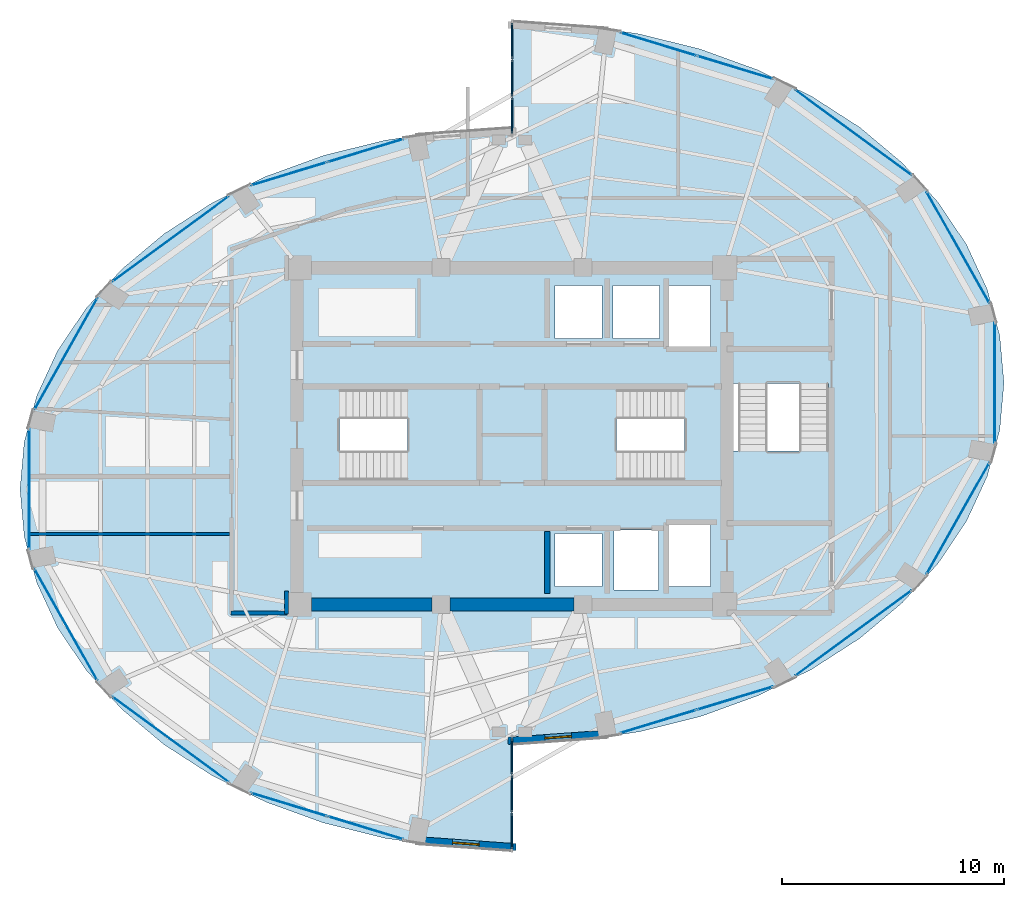
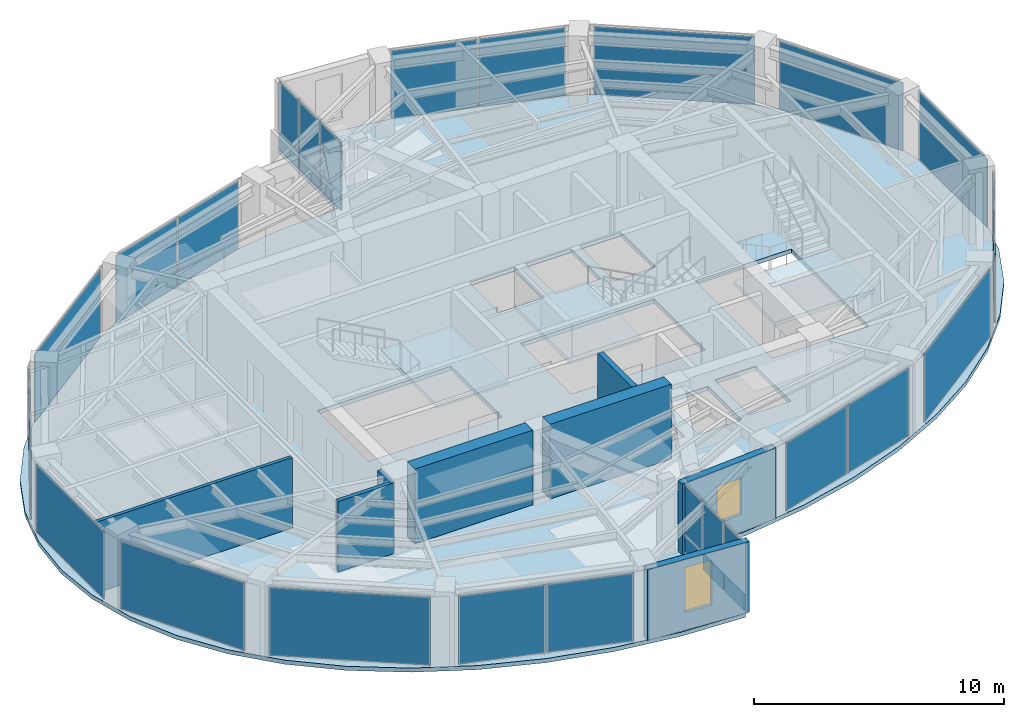
# One storey, part 18 of 23: 30 plates, 8 walls, 4 slabs, 2 windows, 2 openings, 19 elements without a shape of their own.
"""IFC4 building model written with IfcOpenShell, lengths in metres."""

from ifc_helpers import new_model, si_unit, direction, frame, frame_2d, origin, origin_2d, place, context, subcontext, project, spatial, polyline, rectangle, outline, extrude, material, layer, layer_set, type_object, element, fill, aggregate, save


model = new_model("IFC4")

# Units and contexts
model_context = context("Model", 3, precision=1e-05, world=origin(), true_north=direction((0.0, 1.0)))
body_context = subcontext(model_context, "Body", "Model", "MODEL_VIEW")
ifc_project = project(units=[si_unit("LENGTHUNIT", "METRE"), si_unit("AREAUNIT", "SQUARE_METRE"), si_unit("VOLUMEUNIT", "CUBIC_METRE"), si_unit("PLANEANGLEUNIT", "RADIAN"), si_unit("MASSUNIT", "GRAM", prefix="KILO")], contexts=[model_context])

# Site, building, storey
site_placement = place(None, origin())
site = spatial("IfcSite", under=ifc_project, at=site_placement, CompositionType="ELEMENT")
building_placement = place(site_placement, origin())
building = spatial("IfcBuilding", under=site, at=building_placement, Name="Lazwardi Medical Tower", CompositionType="ELEMENT")
storey_placement = place(building_placement, frame((0.0, 0.0, 205.77587890625)))
storey = spatial("IfcBuildingStorey", under=building, at=storey_placement, Name="L53", CompositionType="ELEMENT", Elevation=205.77587890625)

# Curtain wall, plates
ifc_material_1 = material(Name="Anodised bronze aluminium and solar control glazing", Category="aluminium")
ifc_layer_1 = layer(ifc_material_1, 0.18994140625)
ifc_layer_set_1 = layer_set([ifc_layer_1], Name="Anodised bronze aluminium and solar control glazing")
curtain_wall_type_1 = type_object("IfcCurtainWallType", Name="CW-SYS-04", PredefinedType="NOTDEFINED", material=ifc_layer_set_1)
curtain_wall_1_placement = place(storey_placement, origin())
curtain_wall_1 = element("IfcCurtainWall", 1, at=curtain_wall_1_placement, inside=storey, type_object=curtain_wall_type_1, Name="L53 Unitised bronze curtain wall CW-04", PredefinedType="NOTDEFINED")
ifc_material_2 = material(Name="Low-e bronze solar control double glazing", Category="glass")
ifc_layer_2 = layer(ifc_material_2, 0.035888671875)
ifc_layer_set_2 = layer_set([ifc_layer_2], Name="Low-e bronze solar control double glazing")
plate_type_1 = type_object("IfcPlateType", Name="PLT-GLZ-01", PredefinedType="CURTAIN_PANEL", material=ifc_layer_set_2)
plate_1_placement = place(storey_placement, frame((42.604736328125, 15.118896484375, 0.06494140625), z_axis=(0.0, 0.0, 1.0), x_axis=(0.956850126972, 0.290581889515, 0.0)))
plate_1 = element("IfcPlate", 2, at=plate_1_placement, type_object=plate_type_1, Name="CW-04 panel 1.1", PredefinedType="CURTAIN_PANEL", context=body_context, shape_type="SweptSolid", body=[
    extrude(rectangle(XDim=3.554443359375, YDim=0.035888671875, at=origin_2d()), origin(), (0.0, 0.0, 1.0), 3.318115234375),
])
plate_2_placement = place(storey_placement, frame((46.068115234375, 16.170654296875, 0.06494140625), z_axis=(0.0, 0.0, 1.0), x_axis=(0.956850126972, 0.290581889515, 0.0)))
plate_2 = element("IfcPlate", 3, at=plate_2_placement, type_object=plate_type_1, Name="CW-04 panel 2.1", PredefinedType="CURTAIN_PANEL", context=body_context, shape_type="SweptSolid", body=[
    extrude(rectangle(XDim=3.554443359375, YDim=0.035888671875, at=origin_2d()), origin(), (0.0, 0.0, 1.0), 3.318115234375),
])
aggregate(curtain_wall_1, [plate_1, plate_2])

# Curtain wall, plate
curtain_wall_2_placement = place(storey_placement, origin())
curtain_wall_2 = element("IfcCurtainWall", 4, at=curtain_wall_2_placement, inside=storey, type_object=curtain_wall_type_1, Name="L53 Unitised bronze curtain wall CW-04", PredefinedType="NOTDEFINED")
plate_3_placement = place(storey_placement, frame((51.403564453125, 19.106689453125, 0.06494140625), z_axis=(0.0, 0.0, 1.0), x_axis=(0.806474971121, 0.591268230971, 0.0)))
plate_3 = element("IfcPlate", 5, at=plate_3_placement, type_object=plate_type_1, Name="CW-04 panel 1.1", PredefinedType="CURTAIN_PANEL", context=body_context, shape_type="SweptSolid", body=[
    extrude(rectangle(XDim=6.502685546875, YDim=0.035888671875, at=origin_2d()), origin(), (0.0, 0.0, 1.0), 3.318115234375),
])
aggregate(curtain_wall_2, [plate_3])

curtain_wall_3_placement = place(storey_placement, origin())
curtain_wall_3 = element("IfcCurtainWall", 6, at=curtain_wall_3_placement, inside=storey, type_object=curtain_wall_type_1, Name="L53 Unitised bronze curtain wall CW-04", PredefinedType="NOTDEFINED")
plate_4_placement = place(storey_placement, frame((56.125732421875, 24.2880859375, 0.06494140625), z_axis=(0.0, 0.0, 1.0), x_axis=(0.491900474661, 0.870651436011, 0.0)))
plate_4 = element("IfcPlate", 7, at=plate_4_placement, type_object=plate_type_1, Name="CW-04 panel 1.1", PredefinedType="CURTAIN_PANEL", context=body_context, shape_type="SweptSolid", body=[
    extrude(rectangle(XDim=5.755126953125, YDim=0.035888671875, at=origin_2d()), origin(), (0.0, 0.0, 1.0), 3.318115234375),
])
aggregate(curtain_wall_3, [plate_4])

curtain_wall_4_placement = place(storey_placement, origin())
curtain_wall_4 = element("IfcCurtainWall", 8, at=curtain_wall_4_placement, inside=storey, type_object=curtain_wall_type_1, Name="L53 Unitised bronze curtain wall CW-04", PredefinedType="NOTDEFINED")
plate_5_placement = place(storey_placement, frame((57.7841796875, 30.39990234375, 0.06494140625), z_axis=(0.0, 0.0, 1.0), x_axis=(0.0, 1.0, 0.0)))
plate_5 = element("IfcPlate", 9, at=plate_5_placement, type_object=plate_type_1, Name="CW-04 panel 1.1", PredefinedType="CURTAIN_PANEL", context=body_context, shape_type="SweptSolid", body=[
    extrude(rectangle(XDim=5.416015625, YDim=0.035888671875, at=origin_2d()), origin(), (0.0, 0.0, 1.0), 3.318115234375),
])
aggregate(curtain_wall_4, [plate_5])

curtain_wall_5_placement = place(storey_placement, origin())
curtain_wall_5 = element("IfcCurtainWall", 10, at=curtain_wall_5_placement, inside=storey, type_object=curtain_wall_type_1, Name="L53 Unitised bronze curtain wall CW-04", PredefinedType="NOTDEFINED")
plate_6_placement = place(storey_placement, frame((56.125732421875, 36.511962890625, 0.06494140625), z_axis=(0.0, 0.0, 1.0), x_axis=(-0.491900474661, 0.870651436011, 0.0)))
plate_6 = element("IfcPlate", 11, at=plate_6_placement, type_object=plate_type_1, Name="CW-04 panel 1.1", PredefinedType="CURTAIN_PANEL", context=body_context, shape_type="SweptSolid", body=[
    extrude(rectangle(XDim=5.755126953125, YDim=0.035888671875, at=origin_2d()), origin(), (0.0, 0.0, 1.0), 3.318115234375),
])
aggregate(curtain_wall_5, [plate_6])

curtain_wall_6_placement = place(storey_placement, origin())
curtain_wall_6 = element("IfcCurtainWall", 12, at=curtain_wall_6_placement, inside=storey, type_object=curtain_wall_type_1, Name="L53 Unitised bronze curtain wall CW-04", PredefinedType="NOTDEFINED")
plate_7_placement = place(storey_placement, frame((51.403564453125, 41.693359375, 0.06494140625), z_axis=(0.0, 0.0, 1.0), x_axis=(-0.806474971121, 0.591268230971, 0.0)))
plate_7 = element("IfcPlate", 13, at=plate_7_placement, type_object=plate_type_1, Name="CW-04 panel 1.1", PredefinedType="CURTAIN_PANEL", context=body_context, shape_type="SweptSolid", body=[
    extrude(rectangle(XDim=6.502685546875, YDim=0.035888671875, at=origin_2d()), origin(), (0.0, 0.0, 1.0), 3.318115234375),
])
aggregate(curtain_wall_6, [plate_7])

# Curtain wall, plates
curtain_wall_7_placement = place(storey_placement, origin())
curtain_wall_7 = element("IfcCurtainWall", 14, at=curtain_wall_7_placement, inside=storey, type_object=curtain_wall_type_1, Name="L53 Unitised bronze curtain wall CW-04", PredefinedType="NOTDEFINED")
plate_8_placement = place(storey_placement, frame((46.068115234375, 44.62939453125, 0.06494140625), z_axis=(0.0, 0.0, 1.0), x_axis=(-0.956850126972, 0.290581889515, 0.0)))
plate_8 = element("IfcPlate", 15, at=plate_8_placement, type_object=plate_type_1, Name="CW-04 panel 1.1", PredefinedType="CURTAIN_PANEL", context=body_context, shape_type="SweptSolid", body=[
    extrude(rectangle(XDim=3.554443359375, YDim=0.035888671875, at=origin_2d()), origin(), (0.0, 0.0, 1.0), 3.318115234375),
])
plate_9_placement = place(storey_placement, frame((42.604736328125, 45.68115234375, 0.06494140625), z_axis=(0.0, 0.0, 1.0), x_axis=(-0.956850126972, 0.290581889515, 0.0)))
plate_9 = element("IfcPlate", 16, at=plate_9_placement, type_object=plate_type_1, Name="CW-04 panel 2.1", PredefinedType="CURTAIN_PANEL", context=body_context, shape_type="SweptSolid", body=[
    extrude(rectangle(XDim=3.554443359375, YDim=0.035888671875, at=origin_2d()), origin(), (0.0, 0.0, 1.0), 3.318115234375),
])
aggregate(curtain_wall_7, [plate_8, plate_9])

curtain_wall_8_placement = place(storey_placement, origin())
curtain_wall_8 = element("IfcCurtainWall", 17, at=curtain_wall_8_placement, inside=storey, type_object=curtain_wall_type_1, Name="L53 Unitised bronze curtain wall CW-04", PredefinedType="NOTDEFINED")
plate_10_placement = place(storey_placement, frame((29.395263671875, 40.881103515625, 0.06494140625), z_axis=(0.0, 0.0, 1.0), x_axis=(-0.956850126972, -0.290581889515, 0.0)))
plate_10 = element("IfcPlate", 18, at=plate_10_placement, type_object=plate_type_1, Name="CW-04 panel 1.1", PredefinedType="CURTAIN_PANEL", context=body_context, shape_type="SweptSolid", body=[
    extrude(rectangle(XDim=3.554443359375, YDim=0.035888671875, at=origin_2d()), origin(), (0.0, 0.0, 1.0), 3.318115234375),
])
plate_11_placement = place(storey_placement, frame((25.931884765625, 39.829345703125, 0.06494140625), z_axis=(0.0, 0.0, 1.0), x_axis=(-0.956850126972, -0.290581889515, 0.0)))
plate_11 = element("IfcPlate", 19, at=plate_11_placement, type_object=plate_type_1, Name="CW-04 panel 2.1", PredefinedType="CURTAIN_PANEL", context=body_context, shape_type="SweptSolid", body=[
    extrude(rectangle(XDim=3.554443359375, YDim=0.035888671875, at=origin_2d()), origin(), (0.0, 0.0, 1.0), 3.318115234375),
])
aggregate(curtain_wall_8, [plate_10, plate_11])

# Curtain wall, plate
curtain_wall_9_placement = place(storey_placement, origin())
curtain_wall_9 = element("IfcCurtainWall", 20, at=curtain_wall_9_placement, inside=storey, type_object=curtain_wall_type_1, Name="L53 Unitised bronze curtain wall CW-04", PredefinedType="NOTDEFINED")
plate_12_placement = place(storey_placement, frame((20.596435546875, 36.893310546875, 0.06494140625), z_axis=(0.0, 0.0, 1.0), x_axis=(-0.806474971121, -0.591268230971, 0.0)))
plate_12 = element("IfcPlate", 21, at=plate_12_placement, type_object=plate_type_1, Name="CW-04 panel 1.1", PredefinedType="CURTAIN_PANEL", context=body_context, shape_type="SweptSolid", body=[
    extrude(rectangle(XDim=6.502685546875, YDim=0.035888671875, at=origin_2d()), origin(), (0.0, 0.0, 1.0), 3.318115234375),
])
aggregate(curtain_wall_9, [plate_12])

curtain_wall_10_placement = place(storey_placement, origin())
curtain_wall_10 = element("IfcCurtainWall", 22, at=curtain_wall_10_placement, inside=storey, type_object=curtain_wall_type_1, Name="L53 Unitised bronze curtain wall CW-04", PredefinedType="NOTDEFINED")
plate_13_placement = place(storey_placement, frame((15.874267578125, 31.7119140625, 0.06494140625), z_axis=(0.0, 0.0, 1.0), x_axis=(-0.491900474661, -0.870651436011, 0.0)))
plate_13 = element("IfcPlate", 23, at=plate_13_placement, type_object=plate_type_1, Name="CW-04 panel 1.1", PredefinedType="CURTAIN_PANEL", context=body_context, shape_type="SweptSolid", body=[
    extrude(rectangle(XDim=5.755126953125, YDim=0.035888671875, at=origin_2d()), origin(), (0.0, 0.0, 1.0), 3.318115234375),
])
aggregate(curtain_wall_10, [plate_13])

curtain_wall_11_placement = place(storey_placement, origin())
curtain_wall_11 = element("IfcCurtainWall", 24, at=curtain_wall_11_placement, inside=storey, type_object=curtain_wall_type_1, Name="L53 Unitised bronze curtain wall CW-04", PredefinedType="NOTDEFINED")
plate_14_placement = place(storey_placement, frame((14.2158203125, 25.60009765625, 0.06494140625), z_axis=(0.0, 0.0, 1.0), x_axis=(0.0, -1.0, 0.0)))
plate_14 = element("IfcPlate", 25, at=plate_14_placement, type_object=plate_type_1, Name="CW-04 panel 1.1", PredefinedType="CURTAIN_PANEL", context=body_context, shape_type="SweptSolid", body=[
    extrude(rectangle(XDim=5.416015625, YDim=0.035888671875, at=origin_2d()), origin(), (0.0, 0.0, 1.0), 3.318115234375),
])
aggregate(curtain_wall_11, [plate_14])

curtain_wall_12_placement = place(storey_placement, origin())
curtain_wall_12 = element("IfcCurtainWall", 26, at=curtain_wall_12_placement, inside=storey, type_object=curtain_wall_type_1, Name="L53 Unitised bronze curtain wall CW-04", PredefinedType="NOTDEFINED")
plate_15_placement = place(storey_placement, frame((15.874267578125, 19.488037109375, 0.06494140625), z_axis=(0.0, 0.0, 1.0), x_axis=(0.491900474661, -0.870651436011, 0.0)))
plate_15 = element("IfcPlate", 27, at=plate_15_placement, type_object=plate_type_1, Name="CW-04 panel 1.1", PredefinedType="CURTAIN_PANEL", context=body_context, shape_type="SweptSolid", body=[
    extrude(rectangle(XDim=5.755126953125, YDim=0.035888671875, at=origin_2d()), origin(), (0.0, 0.0, 1.0), 3.318115234375),
])
aggregate(curtain_wall_12, [plate_15])

curtain_wall_13_placement = place(storey_placement, origin())
curtain_wall_13 = element("IfcCurtainWall", 28, at=curtain_wall_13_placement, inside=storey, type_object=curtain_wall_type_1, Name="L53 Unitised bronze curtain wall CW-04", PredefinedType="NOTDEFINED")
plate_16_placement = place(storey_placement, frame((20.596435546875, 14.306640625, 0.06494140625), z_axis=(0.0, 0.0, 1.0), x_axis=(0.806474971121, -0.591268230971, 0.0)))
plate_16 = element("IfcPlate", 29, at=plate_16_placement, type_object=plate_type_1, Name="CW-04 panel 1.1", PredefinedType="CURTAIN_PANEL", context=body_context, shape_type="SweptSolid", body=[
    extrude(rectangle(XDim=6.502685546875, YDim=0.035888671875, at=origin_2d()), origin(), (0.0, 0.0, 1.0), 3.318115234375),
])
aggregate(curtain_wall_13, [plate_16])

# Curtain wall, plates
curtain_wall_14_placement = place(storey_placement, origin())
curtain_wall_14 = element("IfcCurtainWall", 30, at=curtain_wall_14_placement, inside=storey, type_object=curtain_wall_type_1, Name="L53 Unitised bronze curtain wall CW-04", PredefinedType="NOTDEFINED")
plate_17_placement = place(storey_placement, frame((25.931884765625, 11.37060546875, 0.06494140625), z_axis=(0.0, 0.0, 1.0), x_axis=(0.956850126972, -0.290581889515, 0.0)))
plate_17 = element("IfcPlate", 31, at=plate_17_placement, type_object=plate_type_1, Name="CW-04 panel 1.1", PredefinedType="CURTAIN_PANEL", context=body_context, shape_type="SweptSolid", body=[
    extrude(rectangle(XDim=3.554443359375, YDim=0.035888671875, at=origin_2d()), origin(), (0.0, 0.0, 1.0), 3.318115234375),
])
plate_18_placement = place(storey_placement, frame((29.395263671875, 10.31884765625, 0.06494140625), z_axis=(0.0, 0.0, 1.0), x_axis=(0.956850126972, -0.290581889515, 0.0)))
plate_18 = element("IfcPlate", 32, at=plate_18_placement, type_object=plate_type_1, Name="CW-04 panel 2.1", PredefinedType="CURTAIN_PANEL", context=body_context, shape_type="SweptSolid", body=[
    extrude(rectangle(XDim=3.554443359375, YDim=0.035888671875, at=origin_2d()), origin(), (0.0, 0.0, 1.0), 3.318115234375),
])
aggregate(curtain_wall_14, [plate_17, plate_18])

ifc_layer_3 = layer(ifc_material_1, 0.2099609375)
ifc_layer_set_3 = layer_set([ifc_layer_3], Name="Anodised bronze aluminium and solar control glazing")
curtain_wall_type_2 = type_object("IfcCurtainWallType", Name="CW-SYS-06", PredefinedType="NOTDEFINED", material=ifc_layer_set_3)
curtain_wall_15_placement = place(storey_placement, origin())
curtain_wall_15 = element("IfcCurtainWall", 33, at=curtain_wall_15_placement, inside=storey, type_object=curtain_wall_type_2, Name="L53 Unitised bronze curtain wall CW-06", PredefinedType="NOTDEFINED")
ifc_material_3 = material(Name="Turquoise glazed ceramic insulated panel", Category="glass")
ifc_layer_4 = layer(ifc_material_3, 0.053955078125)
ifc_layer_set_4 = layer_set([ifc_layer_4], Name="Turquoise glazed ceramic insulated panel")
plate_type_2 = type_object("IfcPlateType", Name="PLT-TRQ-01", PredefinedType="CURTAIN_PANEL", material=ifc_layer_set_4)
plate_19_placement = place(storey_placement, frame((36.0, 45.827880859375, 0.074951171875), z_axis=(0.0, 0.0, 1.0), x_axis=(0.0, -1.0, 0.0)))
plate_19 = element("IfcPlate", 34, at=plate_19_placement, type_object=plate_type_2, Name="CW-06 panel 1.1", PredefinedType="CURTAIN_PANEL", context=body_context, shape_type="SweptSolid", body=[
    extrude(rectangle(XDim=1.59423828125, YDim=0.053955078125, at=origin_2d()), origin(), (0.0, 0.0, 1.0), 0.78759765625),
])
plate_20_placement = place(storey_placement, frame((36.0, 45.827880859375, 0.9375), z_axis=(0.0, 0.0, 1.0), x_axis=(0.0, -1.0, 0.0)))
plate_20 = element("IfcPlate", 35, at=plate_20_placement, type_object=plate_type_2, Name="CW-06 panel 1.2", PredefinedType="CURTAIN_PANEL", context=body_context, shape_type="SweptSolid", body=[
    extrude(rectangle(XDim=1.59423828125, YDim=0.053955078125, at=origin_2d()), origin(), (0.0, 0.0, 1.0), 2.435546875),
])
plate_21_placement = place(storey_placement, frame((36.0, 44.139892578125, 0.074951171875), z_axis=(0.0, 0.0, 1.0), x_axis=(0.0, -1.0, 0.0)))
plate_21 = element("IfcPlate", 36, at=plate_21_placement, type_object=plate_type_2, Name="CW-06 panel 2.1", PredefinedType="CURTAIN_PANEL", context=body_context, shape_type="SweptSolid", body=[
    extrude(rectangle(XDim=1.631591796875, YDim=0.053955078125, at=origin_2d()), origin(), (0.0, 0.0, 1.0), 0.78759765625),
])
plate_22_placement = place(storey_placement, frame((36.0, 44.139892578125, 0.9375), z_axis=(0.0, 0.0, 1.0), x_axis=(0.0, -1.0, 0.0)))
plate_22 = element("IfcPlate", 37, at=plate_22_placement, type_object=plate_type_2, Name="CW-06 panel 2.2", PredefinedType="CURTAIN_PANEL", context=body_context, shape_type="SweptSolid", body=[
    extrude(rectangle(XDim=1.631591796875, YDim=0.053955078125, at=origin_2d()), origin(), (0.0, 0.0, 1.0), 2.435546875),
])
plate_23_placement = place(storey_placement, frame((36.0, 42.4521484375, 0.074951171875), z_axis=(0.0, 0.0, 1.0), x_axis=(0.0, -1.0, 0.0)))
plate_23 = element("IfcPlate", 38, at=plate_23_placement, type_object=plate_type_2, Name="CW-06 panel 3.1", PredefinedType="CURTAIN_PANEL", context=body_context, shape_type="SweptSolid", body=[
    extrude(rectangle(XDim=1.59423828125, YDim=0.053955078125, at=origin_2d()), origin(), (0.0, 0.0, 1.0), 0.78759765625),
])
plate_24_placement = place(storey_placement, frame((36.0, 42.4521484375, 0.9375), z_axis=(0.0, 0.0, 1.0), x_axis=(0.0, -1.0, 0.0)))
plate_24 = element("IfcPlate", 39, at=plate_24_placement, type_object=plate_type_2, Name="CW-06 panel 3.2", PredefinedType="CURTAIN_PANEL", context=body_context, shape_type="SweptSolid", body=[
    extrude(rectangle(XDim=1.59423828125, YDim=0.053955078125, at=origin_2d()), origin(), (0.0, 0.0, 1.0), 2.435546875),
])
aggregate(curtain_wall_15, [plate_19, plate_20, plate_21, plate_22, plate_23, plate_24])

curtain_wall_16_placement = place(storey_placement, origin())
curtain_wall_16 = element("IfcCurtainWall", 40, at=curtain_wall_16_placement, inside=storey, type_object=curtain_wall_type_2, Name="L53 Unitised bronze curtain wall CW-06", PredefinedType="NOTDEFINED")
plate_25_placement = place(storey_placement, frame((36.0, 10.172119140625, 0.074951171875), z_axis=(0.0, 0.0, 1.0), x_axis=(0.0, 1.0, 0.0)))
plate_25 = element("IfcPlate", 41, at=plate_25_placement, type_object=plate_type_2, Name="CW-06 panel 1.1", PredefinedType="CURTAIN_PANEL", context=body_context, shape_type="SweptSolid", body=[
    extrude(rectangle(XDim=1.59423828125, YDim=0.053955078125, at=origin_2d()), origin(), (0.0, 0.0, 1.0), 0.78759765625),
])
plate_26_placement = place(storey_placement, frame((36.0, 10.172119140625, 0.9375), z_axis=(0.0, 0.0, 1.0), x_axis=(0.0, 1.0, 0.0)))
plate_26 = element("IfcPlate", 42, at=plate_26_placement, type_object=plate_type_2, Name="CW-06 panel 1.2", PredefinedType="CURTAIN_PANEL", context=body_context, shape_type="SweptSolid", body=[
    extrude(rectangle(XDim=1.59423828125, YDim=0.053955078125, at=origin_2d()), origin(), (0.0, 0.0, 1.0), 2.435546875),
])
plate_27_placement = place(storey_placement, frame((36.0, 11.860107421875, 0.074951171875), z_axis=(0.0, 0.0, 1.0), x_axis=(0.0, 1.0, 0.0)))
plate_27 = element("IfcPlate", 43, at=plate_27_placement, type_object=plate_type_2, Name="CW-06 panel 2.1", PredefinedType="CURTAIN_PANEL", context=body_context, shape_type="SweptSolid", body=[
    extrude(rectangle(XDim=1.631591796875, YDim=0.053955078125, at=origin_2d()), origin(), (0.0, 0.0, 1.0), 0.78759765625),
])
plate_28_placement = place(storey_placement, frame((36.0, 11.860107421875, 0.9375), z_axis=(0.0, 0.0, 1.0), x_axis=(0.0, 1.0, 0.0)))
plate_28 = element("IfcPlate", 44, at=plate_28_placement, type_object=plate_type_2, Name="CW-06 panel 2.2", PredefinedType="CURTAIN_PANEL", context=body_context, shape_type="SweptSolid", body=[
    extrude(rectangle(XDim=1.631591796875, YDim=0.053955078125, at=origin_2d()), origin(), (0.0, 0.0, 1.0), 2.435546875),
])
plate_29_placement = place(storey_placement, frame((36.0, 13.5478515625, 0.074951171875), z_axis=(0.0, 0.0, 1.0), x_axis=(0.0, 1.0, 0.0)))
plate_29 = element("IfcPlate", 45, at=plate_29_placement, type_object=plate_type_2, Name="CW-06 panel 3.1", PredefinedType="CURTAIN_PANEL", context=body_context, shape_type="SweptSolid", body=[
    extrude(rectangle(XDim=1.59423828125, YDim=0.053955078125, at=origin_2d()), origin(), (0.0, 0.0, 1.0), 0.78759765625),
])
plate_30_placement = place(storey_placement, frame((36.0, 13.5478515625, 0.9375), z_axis=(0.0, 0.0, 1.0), x_axis=(0.0, 1.0, 0.0)))
plate_30 = element("IfcPlate", 46, at=plate_30_placement, type_object=plate_type_2, Name="CW-06 panel 3.2", PredefinedType="CURTAIN_PANEL", context=body_context, shape_type="SweptSolid", body=[
    extrude(rectangle(XDim=1.59423828125, YDim=0.053955078125, at=origin_2d()), origin(), (0.0, 0.0, 1.0), 2.435546875),
])
aggregate(curtain_wall_16, [plate_25, plate_26, plate_27, plate_28, plate_29, plate_30])

# Stair, slab
ifc_material_4 = material(Name="Concrete C45/55", Category="concrete")
stair_type = type_object("IfcStairType", Name="STR-WRD", PredefinedType="HALF_TURN_STAIR", material=ifc_material_4)
stair_1_placement = place(storey_placement, origin())
stair_1 = element("IfcStair", 47, at=stair_1_placement, inside=storey, type_object=stair_type, Name="L53 Protected Exit Stair ST1", PredefinedType="HALF_TURN_STAIR")
ifc_layer_5 = layer(ifc_material_4, 0.199951171875)
ifc_layer_set_5 = layer_set([ifc_layer_5], Name="Concrete C45/55")
slab_type_1 = type_object("IfcSlabType", Name="SLB-LND-190", PredefinedType="LANDING", material=ifc_layer_set_5)
slab_1_placement = place(storey_placement, frame((0.0, 0.0, 1.6240234375)))
slab_1 = element("IfcSlab", 48, at=slab_1_placement, type_object=slab_type_1, Name="ST1 landing 1", PredefinedType="LANDING", context=body_context, shape_type="SweptSolid", body=[
    extrude(outline(polyline([(31.27490234375, 25.840087890625), (34.580078125, 25.840087890625), (34.580078125, 30.280029296875), (31.27490234375, 30.280029296875), (31.27490234375, 25.840087890625)])), origin(), (0.0, 0.0, 1.0), 0.2001953125),
])
aggregate(stair_1, [slab_1])

stair_2_placement = place(storey_placement, origin())
stair_2 = element("IfcStair", 49, at=stair_2_placement, inside=storey, type_object=stair_type, Name="L53 Protected Exit Stair ST2", PredefinedType="HALF_TURN_STAIR")
slab_2_placement = place(storey_placement, frame((0.0, 0.0, 1.6240234375)))
slab_2 = element("IfcSlab", 50, at=slab_2_placement, type_object=slab_type_1, Name="ST2 landing 1", PredefinedType="LANDING", context=body_context, shape_type="SweptSolid", body=[
    extrude(outline(polyline([(40.72509765625, 30.280029296875), (37.419921875, 30.280029296875), (37.419921875, 25.840087890625), (40.72509765625, 25.840087890625), (40.72509765625, 30.280029296875)])), origin(), (0.0, 0.0, 1.0), 0.2001953125),
])
aggregate(stair_2, [slab_2])

stair_3_placement = place(storey_placement, origin())
stair_3 = element("IfcStair", 51, at=stair_3_placement, inside=storey, type_object=stair_type, Name="L53 Protected Exit Stair ST3", PredefinedType="HALF_TURN_STAIR")
slab_3_placement = place(storey_placement, frame((0.0, 0.0, 1.6240234375)))
slab_3 = element("IfcSlab", 52, at=slab_3_placement, type_object=slab_type_1, Name="ST3 landing 1", PredefinedType="LANDING", context=body_context, shape_type="SweptSolid", body=[
    extrude(outline(polyline([(45.860107421875, 27.324951171875), (45.860107421875, 24.02001953125), (50.4599609375, 24.02001953125), (50.4599609375, 27.324951171875), (45.860107421875, 27.324951171875)])), origin(), (0.0, 0.0, 1.0), 0.2001953125),
])
aggregate(stair_3, [slab_3])

# Slab
ifc_material_5 = material(Name="Concrete C50/60", Category="concrete")
ifc_layer_6 = layer(ifc_material_5, 0.199951171875)
ifc_layer_set_6 = layer_set([ifc_layer_6], Name="Concrete C50/60")
slab_type_2 = type_object("IfcSlabType", Name="SLB-UPP-200", PredefinedType="FLOOR", material=ifc_layer_set_6)
slab_4_placement = place(storey_placement, frame((0.0, 0.0, -0.199951171875)))
element("IfcSlab", 53, at=slab_4_placement, inside=storey, type_object=slab_type_2, Name="Structural floor slab SF-04 L53", PredefinedType="FLOOR", context=body_context, shape_type="SweptSolid", body=[
    extrude(outline(polyline([(18.3876953125, 15.67724609375), (20.30224609375, 14.07421875), (22.485595703125, 12.668212890625), (24.89990234375, 11.48388671875), (27.50439453125, 10.540771484375), (30.254150390625, 9.85546875), (33.102294921875, 9.439453125), (36.0, 9.300048828125), (36.0, 14.10009765625), (38.897705078125, 14.239501953125), (41.745849609375, 14.655517578125), (44.49560546875, 15.3408203125), (47.10009765625, 16.28369140625), (49.514404296875, 17.46826171875), (51.69775390625, 18.874267578125), (53.6123046875, 20.477294921875), (55.225830078125, 22.25), (56.510009765625, 24.162353515625), (57.443603515625, 26.18115234375), (58.010009765625, 28.2724609375), (58.199951171875, 30.39990234375), (58.010009765625, 32.527587890625), (57.443603515625, 34.618896484375), (56.510009765625, 36.6376953125), (55.225830078125, 38.550048828125), (53.6123046875, 40.32275390625), (51.69775390625, 41.92578125), (49.514404296875, 43.331787109375), (47.10009765625, 44.51611328125), (44.49560546875, 45.459228515625), (41.745849609375, 46.14453125), (38.897705078125, 46.560546875), (36.0, 46.699951171875), (36.0, 41.89990234375), (33.102294921875, 41.760498046875), (30.254150390625, 41.344482421875), (27.50439453125, 40.6591796875), (24.89990234375, 39.71630859375), (22.485595703125, 38.53173828125), (20.30224609375, 37.125732421875), (18.3876953125, 35.522705078125), (16.774169921875, 33.75), (15.489990234375, 31.837646484375), (14.556396484375, 29.81884765625), (13.989990234375, 27.7275390625), (13.800048828125, 25.60009765625), (13.989990234375, 23.472412109375), (14.556396484375, 21.381103515625), (15.489990234375, 19.3623046875), (16.774169921875, 17.449951171875), (18.3876953125, 15.67724609375)]), holes=[polyline([(28.22509765625, 26.02001953125), (28.22509765625, 30.10009765625), (34.39990234375, 30.10009765625), (34.39990234375, 26.02001953125), (28.22509765625, 26.02001953125)]), polyline([(37.60009765625, 30.10009765625), (43.77490234375, 30.10009765625), (43.77490234375, 26.02001953125), (37.60009765625, 26.02001953125), (37.60009765625, 30.10009765625)]), polyline([(50.280029296875, 30.375), (50.280029296875, 24.179931640625), (45.840087890625, 24.179931640625), (45.840087890625, 30.375), (50.280029296875, 30.375)]), polyline([(40.050048828125, 32.39990234375), (37.949951171875, 32.39990234375), (37.949951171875, 34.800048828125), (40.050048828125, 34.800048828125), (40.050048828125, 32.39990234375)]), polyline([(40.550048828125, 32.39990234375), (40.550048828125, 34.800048828125), (42.64990234375, 34.800048828125), (42.64990234375, 32.39990234375), (40.550048828125, 32.39990234375)]), polyline([(37.949951171875, 23.60009765625), (40.050048828125, 23.60009765625), (40.050048828125, 21.199951171875), (37.949951171875, 21.199951171875), (37.949951171875, 23.60009765625)]), polyline([(44.949951171875, 34.800048828125), (44.949951171875, 32.0), (43.050048828125, 32.0), (43.050048828125, 34.800048828125), (44.949951171875, 34.800048828125)]), polyline([(44.949951171875, 21.199951171875), (43.050048828125, 21.199951171875), (43.050048828125, 24.0), (44.949951171875, 24.0), (44.949951171875, 21.199951171875)]), polyline([(40.60009765625, 21.050048828125), (40.60009765625, 23.75), (42.60009765625, 23.75), (42.60009765625, 21.050048828125), (40.60009765625, 21.050048828125)])]), origin(), (0.0, 0.0, 1.0), 0.199951171875),
])

# Walls
ifc_material_6 = material(Name="Fire-rated gypsum board on steel stud", Category="steel")
ifc_layer_7 = layer(ifc_material_6, 0.179931640625)
ifc_layer_set_7 = layer_set([ifc_layer_7], Name="Fire-rated gypsum board on steel stud")
wall_type_1 = type_object("IfcWallType", Name="WL-COR-180", PredefinedType="PARTITIONING", material=ifc_layer_set_7)
wall_1_placement = place(storey_placement, frame((25.830078125, 21.010009765625, 0.0), z_axis=(0.0, 0.0, 1.0), x_axis=(0.0, -1.0, 0.0)))
element("IfcWall", 54, at=wall_1_placement, inside=storey, type_object=wall_type_1, Name="L53 Corridor partition 8", PredefinedType="PARTITIONING", context=body_context, shape_type="SweptSolid", body=[
    extrude(rectangle(XDim=1.030029296875, YDim=0.179931640625, at=frame_2d((0.51513671875, 0.0))), origin(), (0.0, 0.0, 1.0), 3.4482421875),
])
wall_2_placement = place(storey_placement, frame((25.8701171875, 20.02001953125, 0.0), z_axis=(0.0, 0.0, 1.0), x_axis=(-1.0, 0.0, 0.0)))
element("IfcWall", 55, at=wall_2_placement, inside=storey, type_object=wall_type_1, Name="L53 Corridor partition 9", PredefinedType="PARTITIONING", context=body_context, shape_type="SweptSolid", body=[
    extrude(rectangle(XDim=2.56005859375, YDim=0.179931640625, at=frame_2d((1.280029296875, 0.0))), origin(), (0.0, 0.0, 1.0), 3.4482421875),
])
ifc_material_7 = material(Name="Concrete C60/75", Category="concrete")
ifc_layer_8 = layer(ifc_material_7, 0.60009765625)
ifc_layer_set_8 = layer_set([ifc_layer_8], Name="Concrete C60/75")
wall_type_2 = type_object("IfcWallType", Name="WL-CORE-600", PredefinedType="SHEAR", material=ifc_layer_set_8)
wall_3_placement = place(storey_placement, frame((26.949951171875, 20.39990234375, 0.0), z_axis=(0.0, 0.0, 1.0), x_axis=(1.0, 0.0, 0.0)))
element("IfcWall", 56, at=wall_3_placement, inside=storey, type_object=wall_type_2, Name="Core wall CW-S3 S1 L53", PredefinedType="SHEAR", context=body_context, shape_type="SweptSolid", body=[
    extrude(rectangle(XDim=5.449951171875, YDim=0.60009765625, at=frame_2d((2.72509765625, 0.0))), origin(), (0.0, 0.0, 1.0), 3.648193359375),
])
wall_4_placement = place(storey_placement, frame((33.199951171875, 20.39990234375, 0.0), z_axis=(0.0, 0.0, 1.0), x_axis=(1.0, 0.0, 0.0)))
element("IfcWall", 57, at=wall_4_placement, inside=storey, type_object=wall_type_2, Name="Core wall CW-S3 S2 L53", PredefinedType="SHEAR", context=body_context, shape_type="SweptSolid", body=[
    extrude(rectangle(XDim=5.60009765625, YDim=0.60009765625, at=frame_2d((2.800048828125, 0.0))), origin(), (0.0, 0.0, 1.0), 3.648193359375),
])

# Wall, opening, window
ifc_material_8 = material(Name="Precast concrete C45/55", Category="concrete")
ifc_layer_9 = layer(ifc_material_8, 0.320068359375)
ifc_layer_set_9 = layer_set([ifc_layer_9], Name="Precast concrete C45/55")
wall_type_3 = type_object("IfcWallType", Name="WL-IWAN-320", PredefinedType="SOLIDWALL", material=ifc_layer_set_9)
wall_5_placement = place(storey_placement, frame((35.820556640625, 14.2470703125, 0.0), z_axis=(0.0, 0.0, 1.0), x_axis=(0.997409061056, 0.071938619141, 0.0)))
wall_5 = element("IfcWall", 58, at=wall_5_placement, inside=storey, type_object=wall_type_3, Name="L53 Iwan Portal Return Wall SE_ret", PredefinedType="SOLIDWALL", context=body_context, shape_type="SweptSolid", body=[
    extrude(rectangle(XDim=4.540771484375, YDim=0.320068359375, at=frame_2d((2.2705078125, 0.0))), origin(), (0.0, 0.0, 1.0), 3.4482421875),
])
opening_1_placement = place(wall_5_placement, frame((1.67041015625, 0.0, 0.85009765625)))
opening_1 = element("IfcOpeningElement", 59, at=opening_1_placement, cuts=wall_5, Name="Opening WN-04", PredefinedType="OPENING", context=body_context, shape_type="SweptSolid", body=[
    extrude(rectangle(XDim=1.199951171875, YDim=1.800048828125, at=frame_2d((0.60009765625, 0.89990234375))), frame((0.0, 0.169921875, 0.0), z_axis=(0.0, -1.0, 0.0), x_axis=(1.0, 0.0, 0.0)), (0.0, 0.0, 1.0), 0.340087890625),
])
window_type_1 = type_object("IfcWindowType", Name="WIN-DRUM-1200", PartitioningType="SINGLE_PANEL", PredefinedType="WINDOW", material=ifc_material_2)
window_1_placement = place(opening_1_placement, origin())
window_1 = element("IfcWindow", 60, at=window_1_placement, inside=storey, type_object=window_type_1, Name="L53 Iwan Slot Window SE_ret", OverallHeight=1.800048828125, OverallWidth=1.199951171875, PartitioningType="SINGLE_PANEL", PredefinedType="WINDOW", context=body_context, shape_type="SweptSolid", body=[
    extrude(rectangle(XDim=1.199951171875, YDim=1.800048828125, at=frame_2d((0.60009765625, 0.89990234375))), frame((0.0, 0.030029296875, 0.0), z_axis=(0.0, -1.0, 0.0), x_axis=(1.0, 0.0, 0.0)), (0.0, 0.0, 1.0), 0.06005859375),
])
fill(opening_1, window_1)

wall_6_placement = place(storey_placement, frame((31.650390625, 9.773681640625, 0.0), z_axis=(0.0, 0.0, 1.0), x_axis=(0.997408782787, -0.071942477163, 0.0)))
wall_6 = element("IfcWall", 61, at=wall_6_placement, inside=storey, type_object=wall_type_3, Name="L53 Iwan Portal Return Wall SW_ret", PredefinedType="SOLIDWALL", context=body_context, shape_type="SweptSolid", body=[
    extrude(rectangle(XDim=4.54052734375, YDim=0.320068359375, at=frame_2d((2.270263671875, 0.0))), origin(), (0.0, 0.0, 1.0), 3.4482421875),
])
opening_2_placement = place(wall_6_placement, frame((1.67041015625, 0.0, 0.85009765625)))
opening_2 = element("IfcOpeningElement", 62, at=opening_2_placement, cuts=wall_6, Name="Opening WN-01", PredefinedType="OPENING", context=body_context, shape_type="SweptSolid", body=[
    extrude(rectangle(XDim=1.199951171875, YDim=2.199951171875, at=frame_2d((0.60009765625, 1.10009765625))), frame((0.0, 0.169921875, 0.0), z_axis=(0.0, -1.0, 0.0), x_axis=(1.0, 0.0, 0.0)), (0.0, 0.0, 1.0), 0.340087890625),
])
window_type_2 = type_object("IfcWindowType", Name="WIN-IW-1200", PartitioningType="SINGLE_PANEL", PredefinedType="WINDOW", material=ifc_material_2)
window_2_placement = place(opening_2_placement, origin())
window_2 = element("IfcWindow", 63, at=window_2_placement, inside=storey, type_object=window_type_2, Name="L53 Iwan Slot Window SW_ret", OverallHeight=2.199951171875, OverallWidth=1.199951171875, PartitioningType="SINGLE_PANEL", PredefinedType="WINDOW", context=body_context, shape_type="SweptSolid", body=[
    extrude(rectangle(XDim=1.199951171875, YDim=2.199951171875, at=frame_2d((0.60009765625, 1.10009765625))), frame((0.0, 0.030029296875, 0.0), z_axis=(0.0, -1.0, 0.0), x_axis=(1.0, 0.0, 0.0)), (0.0, 0.0, 1.0), 0.06005859375),
])
fill(opening_2, window_2)

# Walls
ifc_material_9 = material(Name="Autoclaved aerated concrete blockwork", Category="masonry")
ifc_layer_10 = layer(ifc_material_9, 0.25)
ifc_layer_set_10 = layer_set([ifc_layer_10], Name="Autoclaved aerated concrete blockwork")
wall_type_4 = type_object("IfcWallType", Name="WL-SHAFT-250", PredefinedType="SOLIDWALL", material=ifc_layer_set_10)
wall_7_placement = place(storey_placement, frame((37.60009765625, 20.89990234375, 0.0), z_axis=(0.0, 0.0, 1.0), x_axis=(0.0, 1.0, 0.0)))
element("IfcWall", 64, at=wall_7_placement, inside=storey, type_object=wall_type_4, Name="L53 South hoistway divider", PredefinedType="SOLIDWALL", context=body_context, shape_type="SweptSolid", body=[
    extrude(rectangle(XDim=2.800048828125, YDim=0.25, at=frame_2d((1.39990234375, 0.0))), origin(), (0.0, 0.0, 1.0), 3.4482421875),
])
ifc_material_10 = material(Name="Acoustic gypsum board partition")
ifc_layer_11 = layer(ifc_material_10, 0.14990234375)
ifc_layer_set_11 = layer_set([ifc_layer_11], Name="Acoustic gypsum board partition")
wall_type_5 = type_object("IfcWallType", Name="WL-WRD-150", PredefinedType="PARTITIONING", material=ifc_layer_set_11)
wall_8_placement = place(storey_placement, frame((14.228271484375, 23.580078125, 0.0), z_axis=(0.0, 0.0, 1.0), x_axis=(1.0, 0.0, 0.0)))
element("IfcWall", 65, at=wall_8_placement, inside=storey, type_object=wall_type_5, Name="L53 Room partition 1", PredefinedType="PARTITIONING", context=body_context, shape_type="SweptSolid", body=[
    extrude(rectangle(XDim=9.03173828125, YDim=0.14990234375, at=frame_2d((4.515869140625, 0.0))), origin(), (0.0, 0.0, 1.0), 3.4482421875),
])

save(model, "model.ifc")
